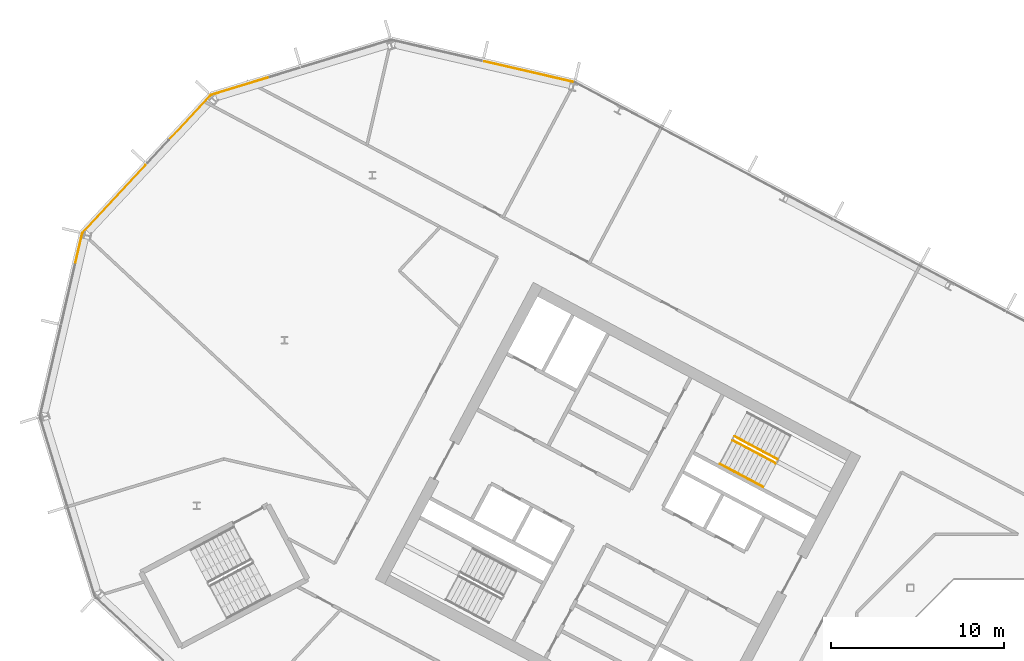
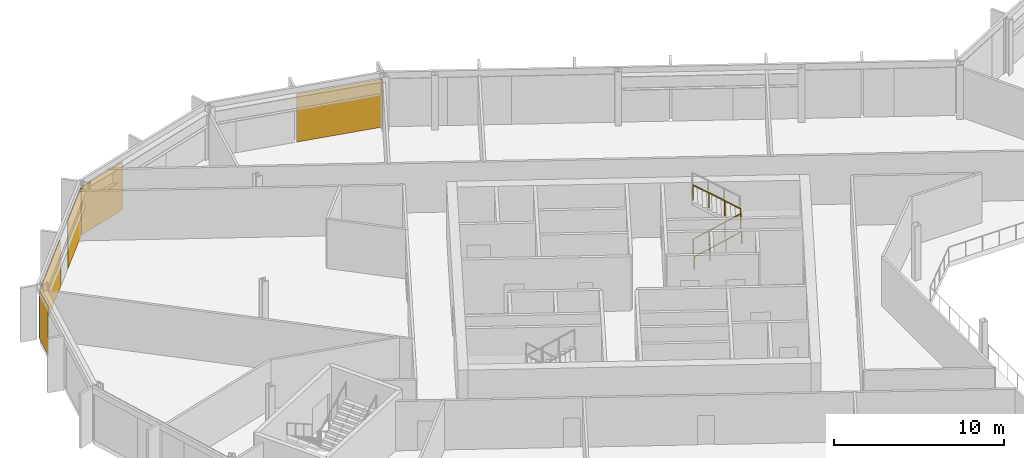
# One storey, part 22 of 27: 5 coverings, 3 railings, 4 elements without a shape of their own.
"""IFC4 building model written with IfcOpenShell, lengths in metres."""

import ifcopenshell
import ifcopenshell.guid

model = None  # the IFC model being written
_history = None  # IfcOwnerHistory: only IFC2X3 demands one
_inside = {}  # id of a spatial element -> (the spatial element, [elements in it])
_under = {}  # id of a project, library or spatial element -> (it, [spatial elements below it])
_declared = {}  # id of a project -> (the project, [libraries it declares])
_typed = {}  # id of a type object -> (the type object, [elements of that type])
_made_of = {}  # id of a material, layer set ... -> (it, [elements and type objects made of it])


def new_model(schema):
    """Start an empty IFC model of exactly this schema.

    Asked for "IFC4X3", IfcOpenShell would pick the latest addendum, in which some entities
    have other attributes; the version numbers below select the first issue.
    IFC2X3 requires an IfcOwnerHistory on every rooted entity: one is made here for all.
    """
    global model, _history
    if schema == "IFC4X3":
        model = ifcopenshell.file(schema_version=(4, 3, 0, 0))
    else:
        model = ifcopenshell.file(schema=schema)
    _inside.clear()
    _under.clear()
    _declared.clear()
    _typed.clear()
    _made_of.clear()
    _history = None
    if model.schema == "IFC2X3":
        org = make("IfcOrganization", Name="unknown")
        user = make(
            "IfcPersonAndOrganization",
            ThePerson=make("IfcPerson", FamilyName="unknown"),
            TheOrganization=org,
        )
        app = make(
            "IfcApplication",
            ApplicationDeveloper=org,
            Version="unknown",
            ApplicationFullName="unknown",
            ApplicationIdentifier="unknown",
        )
        _history = make(
            "IfcOwnerHistory",
            OwningUser=user,
            OwningApplication=app,
            ChangeAction="ADDED",
            CreationDate=0,
        )
    return model


def make(cls, **values):
    """One entity of the class cls with the attributes given. An attribute that is None is left unset."""
    return model.create_entity(
        cls, **{name: value for name, value in values.items() if value is not None}
    )


def rooted(cls, **values):
    """An entity with a GlobalId (a new one), such as an element, a storey or a relation."""
    return make(cls, GlobalId=ifcopenshell.guid.new(), OwnerHistory=_history, **values)


def si_unit(unit_type, name, prefix=None):
    """IfcSIUnit, for example si_unit("LENGTHUNIT", "METRE", prefix="MILLI")."""
    return make("IfcSIUnit", UnitType=unit_type, Prefix=prefix, Name=name)


def assignment(units):
    """IfcUnitAssignment: the units of a project."""
    return None if units is None else make("IfcUnitAssignment", Units=units)


def point(xyz):
    """IfcCartesianPoint."""
    return None if xyz is None else make("IfcCartesianPoint", Coordinates=xyz)


def direction(xyz):
    """IfcDirection."""
    return None if xyz is None else make("IfcDirection", DirectionRatios=xyz)


def frame(location, z_axis=None, x_axis=None):
    """IfcAxis2Placement3D, a coordinate frame: its origin and axes. An axis left out is left unset."""
    return make(
        "IfcAxis2Placement3D",
        Location=point(location),
        Axis=direction(z_axis),
        RefDirection=direction(x_axis),
    )


def frame_2d(location, x_axis=None):
    """IfcAxis2Placement2D, a coordinate frame in the plane: its origin and x axis."""
    return make(
        "IfcAxis2Placement2D", Location=point(location), RefDirection=direction(x_axis)
    )


def origin():
    """The frame at (0, 0, 0) with its axes left unset."""
    return frame((0.0, 0.0, 0.0))


def origin_2d():
    """The frame at (0, 0) in the plane with its x axis left unset."""
    return frame_2d((0.0, 0.0))


def place(relative_to, where):
    """IfcLocalPlacement: puts the frame where relative to a parent placement (None: the world)."""
    return make(
        "IfcLocalPlacement", PlacementRelTo=relative_to, RelativePlacement=where
    )


def context(
    kind, dimensions, precision=None, world=None, true_north=None, identifier=None
):
    """IfcGeometricRepresentationContext, for example the 3D "Model" context."""
    return make(
        "IfcGeometricRepresentationContext",
        ContextIdentifier=identifier,
        ContextType=kind,
        CoordinateSpaceDimension=dimensions,
        Precision=precision,
        WorldCoordinateSystem=world,
        TrueNorth=true_north,
    )


def subcontext(parent, identifier, kind, view, scale=None):
    """IfcGeometricRepresentationSubContext, for example "Body" below "Model"."""
    return make(
        "IfcGeometricRepresentationSubContext",
        ContextIdentifier=identifier,
        ContextType=kind,
        ParentContext=parent,
        TargetScale=scale,
        TargetView=view,
    )


def project(units=None, contexts=None):
    """IfcProject with its units and contexts."""
    return rooted(
        "IfcProject",
        Name="project",
        RepresentationContexts=contexts,
        UnitsInContext=assignment(units),
    )


def spatial(cls, under=None, at=None, **own):
    """A site, building, storey or space (cls), placed at a placement, below another one or the project."""
    s = rooted(cls, ObjectPlacement=at, **own)
    if under is not None:
        _under.setdefault(under.id(), (under, []))[1].append(s)
    return s


def polyline(points):
    """IfcPolyline through the points."""
    return make("IfcPolyline", Points=[point(p) for p in points])


def profile(cls, at=None, kind="AREA", **sizes):
    """A parametric profile (cls). Its sizes go by their IFC names, for example OverallWidth=200.0."""
    return make(cls, ProfileType=kind, Position=at, **sizes)


def rectangle(**sizes):
    """IfcRectangleProfileDef."""
    return profile("IfcRectangleProfileDef", **sizes)


def outline(outer, holes=None, kind="AREA"):
    """IfcArbitraryClosedProfileDef: a profile drawn as a closed curve; with holes, ...WithVoids."""
    if holes is None:
        return make("IfcArbitraryClosedProfileDef", ProfileType=kind, OuterCurve=outer)
    return make(
        "IfcArbitraryProfileDefWithVoids",
        ProfileType=kind,
        OuterCurve=outer,
        InnerCurves=holes,
    )


def extrude(swept, where, along, depth):
    """IfcExtrudedAreaSolid: the profile swept, set in the frame where, extruded along a direction by depth."""
    return make(
        "IfcExtrudedAreaSolid",
        SweptArea=swept,
        Position=where,
        ExtrudedDirection=direction(along),
        Depth=depth,
    )


def shape(context_of_items, identifier, shape_type, items):
    """IfcShapeRepresentation: the items that make up one representation, for example the "Body"."""
    return make(
        "IfcShapeRepresentation",
        ContextOfItems=context_of_items,
        RepresentationIdentifier=identifier,
        RepresentationType=shape_type,
        Items=items,
    )


def material(Name=None, Category=None):
    """IfcMaterial."""
    return make("IfcMaterial", Name=Name, Category=Category)


def layer(
    of_material, thickness, ventilated=None, Name=None, Category=None, Priority=None
):
    """IfcMaterialLayer: one layer of a wall or slab, of a material (None: an air gap)."""
    return make(
        "IfcMaterialLayer",
        Material=of_material,
        LayerThickness=thickness,
        IsVentilated=ventilated,
        Name=Name,
        Category=Category,
        Priority=Priority,
    )


def layer_set(layers, Name=None):
    """IfcMaterialLayerSet."""
    return make("IfcMaterialLayerSet", MaterialLayers=layers, LayerSetName=Name)


def made_of(thing, what):
    """Note that an element or type object is made of a material, layer set ...; save() writes the relation."""
    if what is not None:
        _made_of.setdefault(what.id(), (what, []))[1].append(thing)
    return thing


def type_object(cls, material=None, **own):
    """A type object (cls), such as IfcWallType, which elements share."""
    return made_of(rooted(cls, **own), material)


def element(
    cls,
    number,
    at=None,
    inside=None,
    cuts=None,
    type_object=None,
    material=None,
    context=None,
    identifier="Body",
    shape_type=None,
    held_by="IfcProductDefinitionShape",
    body=None,
    shapes=None,
    **own,
):
    """One element of the class cls, such as IfcWall. Its Tag is "e" and its number.

    at: its placement. inside: the storey or other place that contains it. cuts: it is an
    opening in that element (IfcRelVoidsElement). A single representation is given by context,
    identifier, shape_type and body (its items); several are given by shapes. held_by: the class
    of the entity that holds the representations. save() writes the other relations.
    """
    e = rooted(cls, Tag="e%d" % number, ObjectPlacement=at, **own)
    if body is not None:
        shapes = [shape(context, identifier, shape_type, body)]
    if shapes is not None:
        e.Representation = make(held_by, Representations=shapes)
    if inside is not None:
        _inside.setdefault(inside.id(), (inside, []))[1].append(e)
    if cuts is not None:
        rooted(
            "IfcRelVoidsElement", RelatingBuildingElement=cuts, RelatedOpeningElement=e
        )
    if type_object is not None:
        _typed.setdefault(type_object.id(), (type_object, []))[1].append(e)
    return made_of(e, material)


def aggregate(whole, parts):
    """IfcRelAggregates: a whole, such as a stair, and the parts it consists of."""
    return rooted("IfcRelAggregates", RelatingObject=whole, RelatedObjects=parts)


def save(model, path):
    """Write the relations noted so far, then the file.

    IfcRelAggregates (storeys below a building ...), IfcRelContainedInSpatialStructure (elements
    in a storey), IfcRelDefinesByType, IfcRelAssociatesMaterial and IfcRelDeclares: one each for
    every whole, place, type object, material and project.
    """
    for whole, parts in _under.values():
        aggregate(whole, parts)
    for where, things in _inside.values():
        rooted(
            "IfcRelContainedInSpatialStructure",
            RelatedElements=things,
            RelatingStructure=where,
        )
    for kind, things in _typed.values():
        rooted("IfcRelDefinesByType", RelatedObjects=things, RelatingType=kind)
    for what, things in _made_of.values():
        rooted("IfcRelAssociatesMaterial", RelatedObjects=things, RelatingMaterial=what)
    for by, libraries in _declared.values():
        rooted("IfcRelDeclares", RelatingContext=by, RelatedDefinitions=libraries)
    model.write(path)


model = new_model("IFC4")

# Units and contexts
model_context = context("Model", 3, precision=1e-05, world=origin(), true_north=direction((0.0, 1.0)))
body_context = subcontext(model_context, "Body", "Model", "MODEL_VIEW")
ifc_project = project(units=[si_unit("LENGTHUNIT", "METRE"), si_unit("AREAUNIT", "SQUARE_METRE"), si_unit("VOLUMEUNIT", "CUBIC_METRE"), si_unit("PLANEANGLEUNIT", "RADIAN"), si_unit("MASSUNIT", "GRAM", prefix="KILO")], contexts=[model_context])

# Site, building, storey
site_placement = place(None, origin())
site = spatial("IfcSite", under=ifc_project, at=site_placement, CompositionType="ELEMENT")
building_placement = place(site_placement, origin())
building = spatial("IfcBuilding", under=site, at=building_placement, Name="Cormorant Relay Tower", CompositionType="ELEMENT")
storey_placement = place(building_placement, frame((0.0, 0.0, 232.5)))
storey = spatial("IfcBuildingStorey", under=building, at=storey_placement, Name="L51", CompositionType="ELEMENT", Elevation=232.5)

# Curtain wall, covering
ifc_material_1 = material(Name="Aluminium 6063-T6 anodised bronze", Category="aluminium")
ifc_layer_1 = layer(ifc_material_1, 0.199951171875)
ifc_layer_set_1 = layer_set([ifc_layer_1], Name="CW1 unitised bronze curtain wall with vertical fins")
curtain_wall_type = type_object("IfcCurtainWallType", Name="CW1 unitised bronze curtain wall with vertical fins", PredefinedType="NOTDEFINED", material=ifc_layer_set_1)
curtain_wall_1_placement = place(storey_placement, origin())
curtain_wall_1 = element("IfcCurtainWall", 1, at=curtain_wall_1_placement, inside=storey, type_object=curtain_wall_type, Name="CW1 curtain wall 10", PredefinedType="NOTDEFINED")
ifc_material_2 = material(Name="Pale bronze anodised aluminium insulated panel", Category="aluminium")
ifc_layer_2 = layer(ifc_material_2, 0.0400390625)
ifc_layer_set_2 = layer_set([ifc_layer_2], Name="CW1 pale bronze insulated panel 40")
covering_type = type_object("IfcCoveringType", Name="CW1 pale bronze insulated panel 40", PredefinedType="CLADDING", material=ifc_layer_set_2)
covering_1_placement = place(storey_placement, frame((-32.51708984375, 40.298828125, 0.0), z_axis=(0.0, 0.0, 1.0), x_axis=(-0.974370064785, 0.224951054344, 0.0)))
covering_1 = element("IfcCovering", 2, at=covering_1_placement, type_object=covering_type, Name="CW1 panel S00", PredefinedType="CLADDING", context=body_context, shape_type="SweptSolid", body=[
    extrude(rectangle(XDim=5.28515625, YDim=0.0400390625, at=origin_2d()), origin(), (0.0, 0.0, 1.0), 3.449951171875),
])
aggregate(curtain_wall_1, [covering_1])

curtain_wall_2_placement = place(storey_placement, origin())
curtain_wall_2 = element("IfcCurtainWall", 3, at=curtain_wall_2_placement, inside=storey, type_object=curtain_wall_type, Name="CW1 curtain wall 11", PredefinedType="NOTDEFINED")
covering_2_placement = place(storey_placement, frame((-49.16455078125, 39.474853515625, 0.0), z_axis=(0.0, 0.0, 1.0), x_axis=(-0.956304755963, -0.292371704723, 0.0)))
covering_2 = element("IfcCovering", 4, at=covering_2_placement, type_object=covering_type, Name="CW1 panel S03", PredefinedType="CLADDING", context=body_context, shape_type="SweptSolid", body=[
    extrude(rectangle(XDim=3.560302734375, YDim=0.0400390625, at=origin_2d()), origin(), (0.0, 0.0, 1.0), 3.449951171875),
])
aggregate(curtain_wall_2, [covering_2])

# Curtain wall, coverings
curtain_wall_3_placement = place(storey_placement, origin())
curtain_wall_3 = element("IfcCurtainWall", 5, at=curtain_wall_3_placement, inside=storey, type_object=curtain_wall_type, Name="CW1 curtain wall 12", PredefinedType="NOTDEFINED")
covering_3_placement = place(storey_placement, frame((-52.115234375, 37.61962890625, 0.0), z_axis=(0.0, 0.0, 1.0), x_axis=(-0.681998360062, -0.731353701619, 0.0)))
covering_3 = element("IfcCovering", 6, at=covering_3_placement, type_object=covering_type, Name="CW1 panel S00", PredefinedType="CLADDING", context=body_context, shape_type="SweptSolid", body=[
    extrude(rectangle(XDim=3.485107421875, YDim=0.0400390625, at=origin_2d()), origin(), (0.0, 0.0, 1.0), 3.449951171875),
])
covering_4_placement = place(storey_placement, frame((-56.461181640625, 32.958984375, 0.0), z_axis=(0.0, 0.0, 1.0), x_axis=(-0.681998360062, -0.731353701619, 0.0)))
covering_4 = element("IfcCovering", 7, at=covering_4_placement, type_object=covering_type, Name="CW1 panel S02", PredefinedType="CLADDING", context=body_context, shape_type="SweptSolid", body=[
    extrude(rectangle(XDim=5.360107421875, YDim=0.0400390625, at=origin_2d()), origin(), (0.0, 0.0, 1.0), 3.449951171875),
])
aggregate(curtain_wall_3, [covering_3, covering_4])

# Curtain wall, covering
curtain_wall_4_placement = place(storey_placement, origin())
curtain_wall_4 = element("IfcCurtainWall", 8, at=curtain_wall_4_placement, inside=storey, type_object=curtain_wall_type, Name="CW1 curtain wall 13", PredefinedType="NOTDEFINED")
covering_5_placement = place(storey_placement, frame((-58.50048828125, 30.095458984375, 0.0), z_axis=(0.0, 0.0, 1.0), x_axis=(-0.224951054344, -0.974370064785, 0.0)))
covering_5 = element("IfcCovering", 9, at=covering_5_placement, type_object=covering_type, Name="CW1 panel S00", PredefinedType="CLADDING", context=body_context, shape_type="SweptSolid", body=[
    extrude(rectangle(XDim=1.685302734375, YDim=0.0400390625, at=origin_2d()), origin(), (0.0, 0.0, 1.0), 3.449951171875),
])
aggregate(curtain_wall_4, [covering_5])

# Railings
ifc_material_3 = material(Name="Steel ASTM A572 Grade 50 (Fy 345 MPa)", Category="steel")
railing_type_1 = type_object("IfcRailingType", Name="Stair guard 1100", PredefinedType="GUARDRAIL", material=ifc_material_3)
railing_1_placement = place(storey_placement, frame((-20.75048828125, 19.017822265625, 0.17724609375)))
element("IfcRailing", 10, at=railing_1_placement, inside=storey, type_object=railing_type_1, Name="L51 A1 stair guard 1", PredefinedType="GUARDRAIL", context=body_context, shape_type="SweptSolid", body=[
    extrude(outline(polyline([(0.022216796875, 0.00927734375), (0.00927734375, 0.022216796875), (-0.00927734375, 0.022216796875), (-0.022216796875, 0.00927734375), (-0.022216796875, -0.00927734375), (-0.00927734375, -0.022216796875), (0.00927734375, -0.022216796875), (0.022216796875, -0.00927734375), (0.022216796875, 0.00927734375)])), frame((0.0, 0.0, 1.076171875), z_axis=(0.746001213114, -0.396649272309, 0.534931345884), x_axis=(0.469465464807, 0.882950835185, 0.0)), (0.0, 0.0, 1.0), 3.31396484375),
    extrude(outline(polyline([(0.019287109375, 0.008056640625), (0.008056640625, 0.019287109375), (-0.008056640625, 0.019287109375), (-0.019287109375, 0.008056640625), (-0.019287109375, -0.008056640625), (-0.008056640625, -0.019287109375), (0.008056640625, -0.019287109375), (0.019287109375, -0.008056640625), (0.019287109375, 0.008056640625)])), origin(), (0.0, 0.0, 1.0), 1.052001953125),
    extrude(outline(polyline([(0.019287109375, 0.008056640625), (0.008056640625, 0.019287109375), (-0.008056640625, 0.019287109375), (-0.019287109375, 0.008056640625), (-0.019287109375, -0.008056640625), (-0.008056640625, -0.019287109375), (0.008056640625, -0.019287109375), (0.019287109375, -0.008056640625), (0.019287109375, 0.008056640625)])), frame((0.823974609375, -0.438232421875, 0.5908203125)), (0.0, 0.0, 1.0), 1.052001953125),
    extrude(outline(polyline([(0.019287109375, 0.008056640625), (0.008056640625, 0.019287109375), (-0.008056640625, 0.019287109375), (-0.019287109375, 0.008056640625), (-0.019287109375, -0.008056640625), (-0.008056640625, -0.019287109375), (0.008056640625, -0.019287109375), (0.019287109375, -0.008056640625), (0.019287109375, 0.008056640625)])), frame((1.648193359375, -0.876220703125, 1.181884765625)), (0.0, 0.0, 1.0), 1.052001953125),
    extrude(outline(polyline([(0.019287109375, 0.008056640625), (0.008056640625, 0.019287109375), (-0.008056640625, 0.019287109375), (-0.019287109375, 0.008056640625), (-0.019287109375, -0.008056640625), (-0.008056640625, -0.019287109375), (0.008056640625, -0.019287109375), (0.019287109375, -0.008056640625), (0.019287109375, 0.008056640625)])), frame((2.47216796875, -1.314453125, 1.772705078125)), (0.0, 0.0, 1.0), 1.052001953125),
])
railing_2_placement = place(storey_placement, frame((-18.160888671875, 17.924072265625, 2.127197265625)))
element("IfcRailing", 11, at=railing_2_placement, inside=storey, type_object=railing_type_1, Name="L51 A1 stair guard 3", PredefinedType="GUARDRAIL", context=body_context, shape_type="SweptSolid", body=[
    extrude(outline(polyline([(0.022216796875, 0.00927734375), (0.00927734375, 0.022216796875), (-0.00927734375, 0.022216796875), (-0.022216796875, 0.00927734375), (-0.022216796875, -0.00927734375), (-0.00927734375, -0.022216796875), (0.00927734375, -0.022216796875), (0.022216796875, -0.00927734375), (0.022216796875, 0.00927734375)])), frame((0.0, 0.0, 1.076171875), z_axis=(-0.746033882577, 0.396627473466, 0.534901947407), x_axis=(-0.469429322983, -0.882970050864, 0.0)), (0.0, 0.0, 1.0), 3.31396484375),
    extrude(outline(polyline([(0.019287109375, 0.008056640625), (0.008056640625, 0.019287109375), (-0.008056640625, 0.019287109375), (-0.019287109375, 0.008056640625), (-0.019287109375, -0.008056640625), (-0.008056640625, -0.019287109375), (0.008056640625, -0.019287109375), (0.019287109375, -0.008056640625), (0.019287109375, 0.008056640625)])), origin(), (0.0, 0.0, 1.0), 1.052001953125),
    extrude(outline(polyline([(0.019287109375, 0.008056640625), (0.008056640625, 0.019287109375), (-0.008056640625, 0.019287109375), (-0.019287109375, 0.008056640625), (-0.019287109375, -0.008056640625), (-0.008056640625, -0.019287109375), (0.008056640625, -0.019287109375), (0.019287109375, -0.008056640625), (0.019287109375, 0.008056640625)])), frame((-0.82421875, 0.438232421875, 0.5908203125)), (0.0, 0.0, 1.0), 1.052001953125),
    extrude(outline(polyline([(0.019287109375, 0.008056640625), (0.008056640625, 0.019287109375), (-0.008056640625, 0.019287109375), (-0.019287109375, 0.008056640625), (-0.019287109375, -0.008056640625), (-0.008056640625, -0.019287109375), (0.008056640625, -0.019287109375), (0.019287109375, -0.008056640625), (0.019287109375, 0.008056640625)])), frame((-1.648193359375, 0.876220703125, 1.181884765625)), (0.0, 0.0, 1.0), 1.052001953125),
    extrude(outline(polyline([(0.019287109375, 0.008056640625), (0.008056640625, 0.019287109375), (-0.008056640625, 0.019287109375), (-0.019287109375, 0.008056640625), (-0.019287109375, -0.008056640625), (-0.008056640625, -0.019287109375), (0.008056640625, -0.019287109375), (0.019287109375, -0.008056640625), (0.019287109375, 0.008056640625)])), frame((-2.472412109375, 1.314453125, 1.772705078125)), (0.0, 0.0, 1.0), 1.052001953125),
])
ifc_material_4 = material(Name="Steel ASTM A572 Grade 50 (Fy 345 MPa)", Category="steel")
railing_type_2 = type_object("IfcRailingType", Name="Stair handrail 900", PredefinedType="HANDRAIL", material=ifc_material_4)
railing_3_placement = place(storey_placement, frame((-21.478271484375, 17.6494140625, 0.17724609375)))
element("IfcRailing", 12, at=railing_3_placement, inside=storey, type_object=railing_type_2, Name="L51 A1 stair handrail 1", PredefinedType="HANDRAIL", context=body_context, shape_type="SweptSolid", body=[
    extrude(outline(polyline([(0.022216796875, 0.00927734375), (0.00927734375, 0.022216796875), (-0.00927734375, 0.022216796875), (-0.022216796875, 0.00927734375), (-0.022216796875, -0.00927734375), (-0.00927734375, -0.022216796875), (0.00927734375, -0.022216796875), (0.022216796875, -0.00927734375), (0.022216796875, 0.00927734375)])), frame((0.0, 0.0, 0.8759765625), z_axis=(0.746012083385, -0.396689549623, 0.534886317514), x_axis=(0.469497295046, 0.882933910293, 0.0)), (0.0, 0.0, 1.0), 3.314208984375),
    extrude(outline(polyline([(0.019287109375, 0.008056640625), (0.008056640625, 0.019287109375), (-0.008056640625, 0.019287109375), (-0.019287109375, 0.008056640625), (-0.019287109375, -0.008056640625), (-0.008056640625, -0.019287109375), (0.008056640625, -0.019287109375), (0.019287109375, -0.008056640625), (0.019287109375, 0.008056640625)])), origin(), (0.0, 0.0, 1.0), 0.851806640625),
    extrude(outline(polyline([(0.019287109375, 0.008056640625), (0.008056640625, 0.019287109375), (-0.008056640625, 0.019287109375), (-0.019287109375, 0.008056640625), (-0.019287109375, -0.008056640625), (-0.008056640625, -0.019287109375), (0.008056640625, -0.019287109375), (0.019287109375, -0.008056640625), (0.019287109375, 0.008056640625)])), frame((0.82421875, -0.438232421875, 0.5908203125)), (0.0, 0.0, 1.0), 0.851806640625),
    extrude(outline(polyline([(0.019287109375, 0.008056640625), (0.008056640625, 0.019287109375), (-0.008056640625, 0.019287109375), (-0.019287109375, 0.008056640625), (-0.019287109375, -0.008056640625), (-0.008056640625, -0.019287109375), (0.008056640625, -0.019287109375), (0.019287109375, -0.008056640625), (0.019287109375, 0.008056640625)])), frame((1.648193359375, -0.87646484375, 1.181884765625)), (0.0, 0.0, 1.0), 0.851806640625),
    extrude(outline(polyline([(0.019287109375, 0.008056640625), (0.008056640625, 0.019287109375), (-0.008056640625, 0.019287109375), (-0.019287109375, 0.008056640625), (-0.019287109375, -0.008056640625), (-0.008056640625, -0.019287109375), (0.008056640625, -0.019287109375), (0.019287109375, -0.008056640625), (0.019287109375, 0.008056640625)])), frame((2.472412109375, -1.314697265625, 1.772705078125)), (0.0, 0.0, 1.0), 0.851806640625),
])

save(model, "model.ifc")
